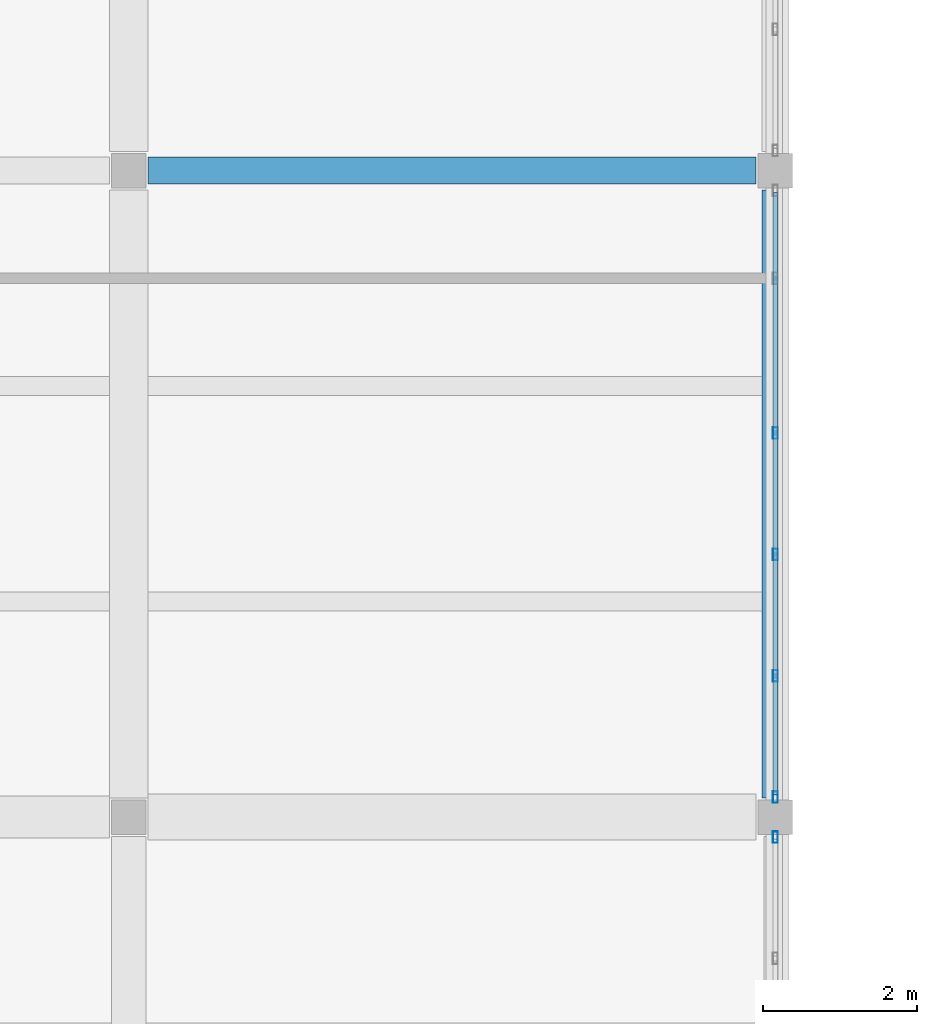
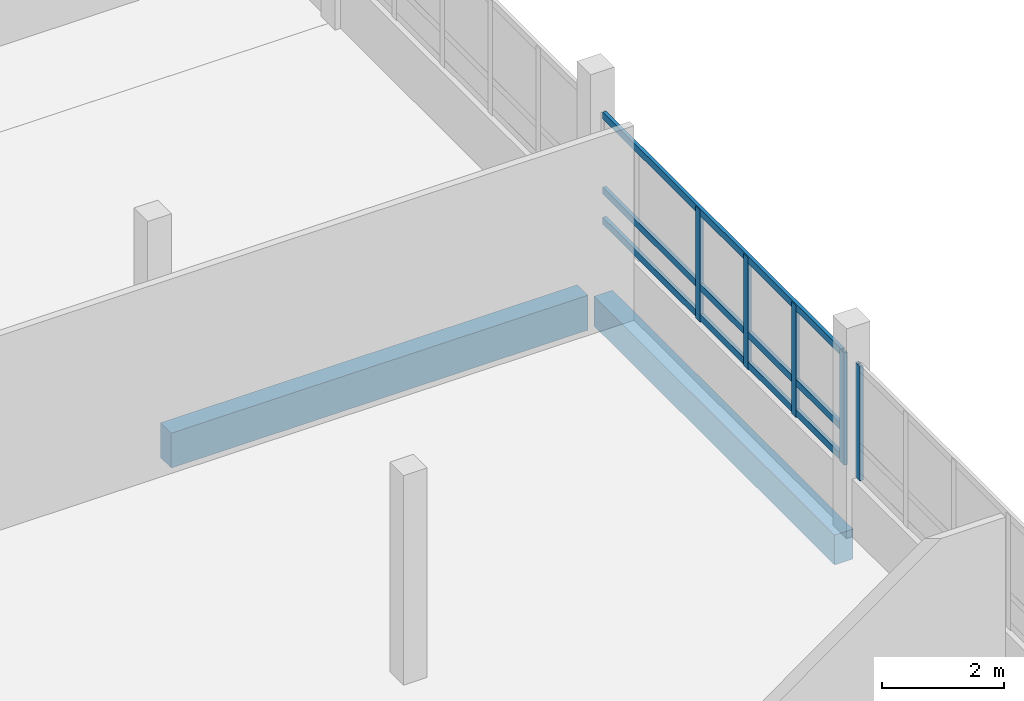
# One storey, part 17 of 62: 8 members, 2 beams, 2 elements without a shape of their own.
"""IFC4 building model written with IfcOpenShell, lengths in metres."""

from ifc_helpers import new_model, si_unit, direction, frame, origin, origin_2d, place, context, subcontext, project, spatial, rectangle, hollow_rectangle, extrude, material, layer, layer_set, material_profile, profile_set, type_object, element, aggregate, save


model = new_model("IFC4")

# Units and contexts
model_context = context("Model", 3, precision=1e-05, world=origin(), true_north=direction((0.0, 1.0)))
body_context = subcontext(model_context, "Body", "Model", "MODEL_VIEW")
ifc_project = project(units=[si_unit("LENGTHUNIT", "METRE"), si_unit("AREAUNIT", "SQUARE_METRE"), si_unit("VOLUMEUNIT", "CUBIC_METRE"), si_unit("PLANEANGLEUNIT", "RADIAN"), si_unit("MASSUNIT", "GRAM", prefix="KILO")], contexts=[model_context])

# Site, building, storey
site_placement = place(None, origin())
site = spatial("IfcSite", under=ifc_project, at=site_placement, CompositionType="ELEMENT")
building_placement = place(site_placement, origin())
building = spatial("IfcBuilding", under=site, at=building_placement, Name="Vireocrest Preparatory School", CompositionType="ELEMENT")
storey_placement = place(building_placement, frame((0.0, 0.0, 17.39990234375)))
storey = spatial("IfcBuildingStorey", under=building, at=storey_placement, Name="L04", CompositionType="ELEMENT", Elevation=17.39990234375)

# Curtain wall, member
ifc_material_1 = material(Name="Thermally broken aluminium EN AW-6063-T6", Category="aluminium")
ifc_layer = layer(ifc_material_1, 0.179931640625)
ifc_layer_set = layer_set([ifc_layer], Name="Thermally broken aluminium EN AW-6063-T6")
curtain_wall_type = type_object("IfcCurtainWallType", Name="Court Banded Curtain Wall 8400x3000", PredefinedType="USERDEFINED", material=ifc_layer_set)
curtain_wall_1_placement = place(storey_placement, origin())
curtain_wall_1 = element("IfcCurtainWall", 1, at=curtain_wall_1_placement, inside=storey, type_object=curtain_wall_type, Name="Curtain Wall CW02 CW_L04_CW02_0672_0608_186", ObjectType="CURTAIN WALL", PredefinedType="USERDEFINED")
ifc_material_profile_1 = material_profile(ifc_material_1, hollow_rectangle(XDim=0.06494140625, YDim=0.14990234375, WallThickness=0.00390625, at=origin_2d()), Name="ALU 65x150x4")
ifc_profile_set_1 = profile_set([ifc_material_profile_1], Name="Thermally broken aluminium EN AW-6063-T6")
member_type_1 = type_object("IfcMemberType", Name="CW Mullion 65x150x4", PredefinedType="MULLION", material=ifc_profile_set_1)
member_1_placement = place(storey_placement, frame((67.199951171875, 68.739990234375, 1.150146484375), z_axis=(0.0, 0.0, 1.0), x_axis=(1.0, 0.0, 0.0)))
member_1 = element("IfcMember", 2, at=member_1_placement, type_object=member_type_1, Name="CW Mullion ML1 CW_L04_CW02_0672_0608_186-6", PredefinedType="MULLION", context=body_context, shape_type="SweptSolid", body=[
    extrude(hollow_rectangle(XDim=0.06494140625, YDim=0.14990234375, WallThickness=0.00390625, at=origin_2d()), origin(), (0.0, 0.0, 1.0), 2.294921875),
])
aggregate(curtain_wall_1, [member_1])

# Curtain wall, members
curtain_wall_2_placement = place(storey_placement, origin())
curtain_wall_2 = element("IfcCurtainWall", 3, at=curtain_wall_2_placement, inside=storey, type_object=curtain_wall_type, Name="Curtain Wall CW02 CW_L04_CW02_0672_0692_186", ObjectType="CURTAIN WALL", PredefinedType="USERDEFINED")
member_2_placement = place(storey_placement, frame((67.199951171875, 69.260009765625, 1.150146484375), z_axis=(0.0, 0.0, 1.0), x_axis=(1.0, 0.0, 0.0)))
member_2 = element("IfcMember", 4, at=member_2_placement, type_object=member_type_1, Name="CW Mullion ML1 CW_L04_CW02_0672_0692_186-1", PredefinedType="MULLION", context=body_context, shape_type="SweptSolid", body=[
    extrude(hollow_rectangle(XDim=0.06494140625, YDim=0.14990234375, WallThickness=0.00390625, at=origin_2d()), origin(), (0.0, 0.0, 1.0), 2.244873046875),
])
member_3_placement = place(storey_placement, frame((67.199951171875, 70.8359375, 1.150146484375), z_axis=(0.0, 0.0, 1.0), x_axis=(1.0, 0.0, 0.0)))
member_3 = element("IfcMember", 5, at=member_3_placement, type_object=member_type_1, Name="CW Mullion ML1 CW_L04_CW02_0672_0692_186-2", PredefinedType="MULLION", context=body_context, shape_type="SweptSolid", body=[
    extrude(hollow_rectangle(XDim=0.06494140625, YDim=0.14990234375, WallThickness=0.00390625, at=origin_2d()), origin(), (0.0, 0.0, 1.0), 2.244873046875),
])
member_4_placement = place(storey_placement, frame((67.199951171875, 72.412109375, 1.150146484375), z_axis=(0.0, 0.0, 1.0), x_axis=(1.0, 0.0, 0.0)))
member_4 = element("IfcMember", 6, at=member_4_placement, type_object=member_type_1, Name="CW Mullion ML1 CW_L04_CW02_0672_0692_186-3", PredefinedType="MULLION", context=body_context, shape_type="SweptSolid", body=[
    extrude(hollow_rectangle(XDim=0.06494140625, YDim=0.14990234375, WallThickness=0.00390625, at=origin_2d()), origin(), (0.0, 0.0, 1.0), 2.244873046875),
])
member_5_placement = place(storey_placement, frame((67.199951171875, 73.988037109375, 1.150146484375), z_axis=(0.0, 0.0, 1.0), x_axis=(1.0, 0.0, 0.0)))
member_5 = element("IfcMember", 7, at=member_5_placement, type_object=member_type_1, Name="CW Mullion ML1 CW_L04_CW02_0672_0692_186-4", PredefinedType="MULLION", context=body_context, shape_type="SweptSolid", body=[
    extrude(hollow_rectangle(XDim=0.06494140625, YDim=0.14990234375, WallThickness=0.00390625, at=origin_2d()), origin(), (0.0, 0.0, 1.0), 2.244873046875),
])
ifc_material_profile_2 = material_profile(ifc_material_1, hollow_rectangle(XDim=0.06494140625, YDim=0.139892578125, WallThickness=0.00390625, at=origin_2d()), Name="ALU 65x140x4")
ifc_profile_set_2 = profile_set([ifc_material_profile_2], Name="Thermally broken aluminium EN AW-6063-T6")
member_type_2 = type_object("IfcMemberType", Name="CW Transom 65x140x4", PredefinedType="USERDEFINED", material=ifc_profile_set_2)
member_6_placement = place(storey_placement, frame((67.199951171875, 69.284912109375, 1.2451171875), z_axis=(0.0, 1.0, 0.0), x_axis=(-1.0, 0.0, 0.0)))
member_6 = element("IfcMember", 8, at=member_6_placement, type_object=member_type_2, Name="CW Transom TR1 CW_L04_CW02_0672_0692_186-1", ObjectType="TRANSOM", PredefinedType="USERDEFINED", context=body_context, shape_type="SweptSolid", body=[
    extrude(hollow_rectangle(XDim=0.06494140625, YDim=0.139892578125, WallThickness=0.00390625, at=origin_2d()), origin(), (0.0, 0.0, 1.0), 7.830078125),
])
member_7_placement = place(storey_placement, frame((67.199951171875, 69.284912109375, 1.85009765625), z_axis=(0.0, 1.0, 0.0), x_axis=(-1.0, 0.0, 0.0)))
member_7 = element("IfcMember", 9, at=member_7_placement, type_object=member_type_2, Name="CW Transom TR1 CW_L04_CW02_0672_0692_186-2", ObjectType="TRANSOM", PredefinedType="USERDEFINED", context=body_context, shape_type="SweptSolid", body=[
    extrude(hollow_rectangle(XDim=0.06494140625, YDim=0.139892578125, WallThickness=0.00390625, at=origin_2d()), origin(), (0.0, 0.0, 1.0), 7.830078125),
])
member_8_placement = place(storey_placement, frame((67.199951171875, 69.284912109375, 3.35498046875), z_axis=(0.0, 1.0, 0.0), x_axis=(-1.0, 0.0, 0.0)))
member_8 = element("IfcMember", 10, at=member_8_placement, type_object=member_type_2, Name="CW Transom TR1 CW_L04_CW02_0672_0692_186-3", ObjectType="TRANSOM", PredefinedType="USERDEFINED", context=body_context, shape_type="SweptSolid", body=[
    extrude(hollow_rectangle(XDim=0.06494140625, YDim=0.139892578125, WallThickness=0.00390625, at=origin_2d()), origin(), (0.0, 0.0, 1.0), 7.830078125),
])
aggregate(curtain_wall_2, [member_2, member_3, member_4, member_5, member_6, member_7, member_8])

# Beams
ifc_material_2 = material(Name="Concrete 40 MPa", Category="concrete")
ifc_material_profile_3 = material_profile(ifc_material_2, rectangle(XDim=0.35009765625, YDim=0.60009765625, at=origin_2d()), Name="RC 350x600")
ifc_profile_set_3 = profile_set([ifc_material_profile_3], Name="Concrete 40 MPa")
beam_type_1 = type_object("IfcBeamType", Name="RC Classroom Girder 350x600", PredefinedType="BEAM", material=ifc_profile_set_3)
beam_1_placement = place(storey_placement, frame((67.199951171875, 69.25, -0.539794921875), z_axis=(0.0, 1.0, 0.0), x_axis=(-1.0, 0.0, 0.0)))
element("IfcBeam", 11, at=beam_1_placement, inside=storey, type_object=beam_type_1, Name="Primary Girder B04 L04-1383", PredefinedType="BEAM", context=body_context, shape_type="SweptSolid", body=[
    extrude(rectangle(XDim=0.35009765625, YDim=0.60009765625, at=origin_2d()), origin(), (0.0, 0.0, 1.0), 7.89990234375),
])
ifc_material_profile_4 = material_profile(ifc_material_2, rectangle(XDim=0.35009765625, YDim=0.699951171875, at=origin_2d()), Name="RC 350x700")
ifc_profile_set_4 = profile_set([ifc_material_profile_4], Name="Concrete 40 MPa")
beam_type_2 = type_object("IfcBeamType", Name="RC Laboratory Girder 350x700", PredefinedType="BEAM", material=ifc_profile_set_4)
beam_2_placement = place(storey_placement, frame((59.050048828125, 77.39990234375, -0.58984375), z_axis=(1.0, 0.0, 0.0), x_axis=(0.0, 1.0, 0.0)))
element("IfcBeam", 12, at=beam_2_placement, inside=storey, type_object=beam_type_2, Name="Primary Girder B06 L04-1318", PredefinedType="BEAM", context=body_context, shape_type="SweptSolid", body=[
    extrude(rectangle(XDim=0.35009765625, YDim=0.699951171875, at=origin_2d()), origin(), (0.0, 0.0, 1.0), 7.89990234375),
])

save(model, "model.ifc")
